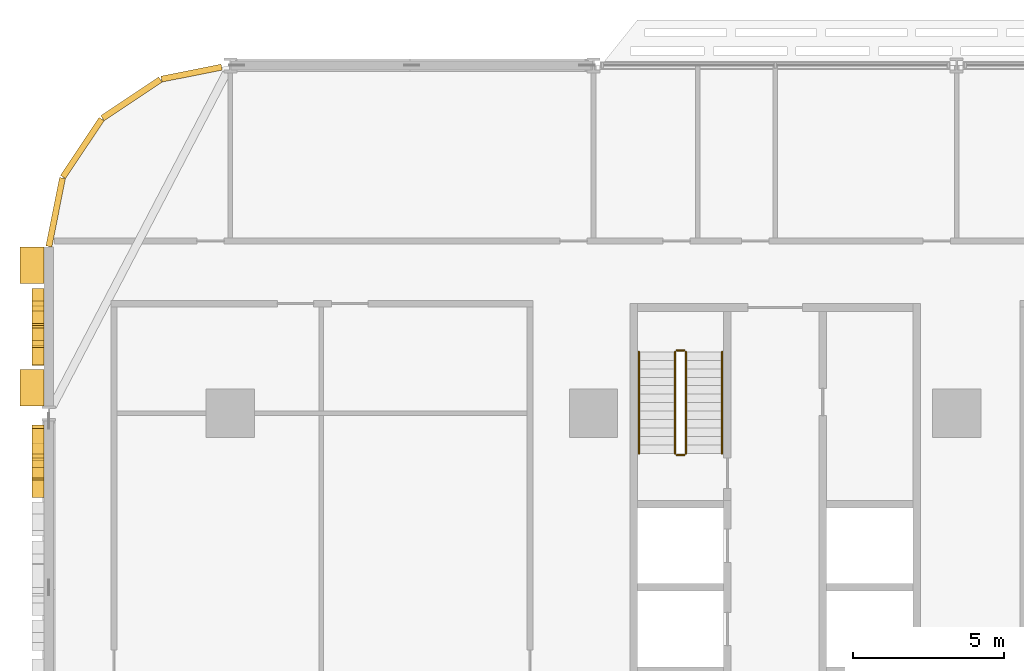
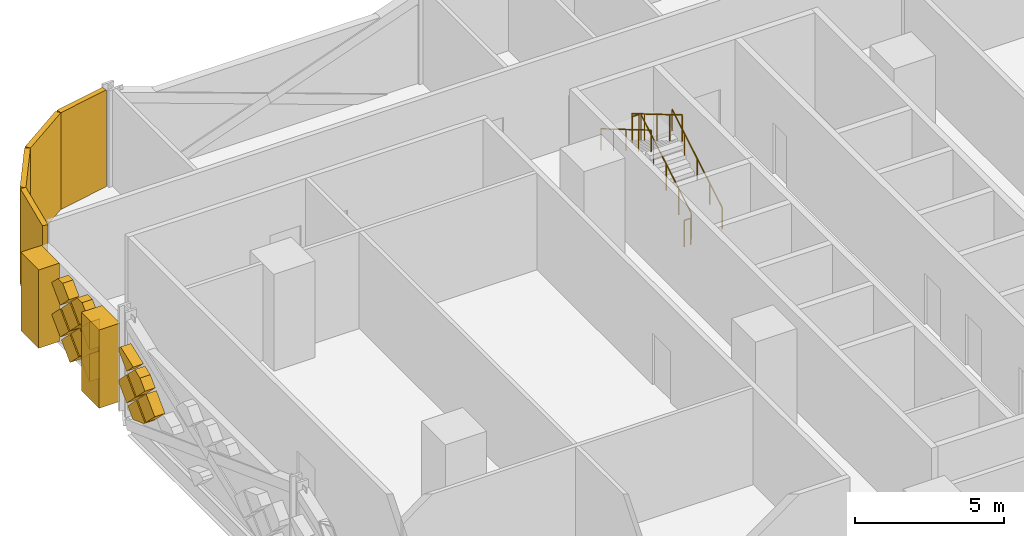
# One storey, part 25 of 29: 19 coverings, 6 railings.
"""IFC4 building model written with IfcOpenShell, lengths in metres."""

from ifc_helpers import new_model, si_unit, direction, frame, origin, origin_2d, place, context, subcontext, project, spatial, polyline, rectangle, circle, outline, extrude, material, layer, layer_set, type_object, element, save


model = new_model("IFC4")

# Units and contexts
model_context = context("Model", 3, precision=1e-05, world=origin(), true_north=direction((0.0, 1.0)))
body_context = subcontext(model_context, "Body", "Model", "MODEL_VIEW")
ifc_project = project(units=[si_unit("LENGTHUNIT", "METRE"), si_unit("AREAUNIT", "SQUARE_METRE"), si_unit("VOLUMEUNIT", "CUBIC_METRE"), si_unit("PLANEANGLEUNIT", "RADIAN"), si_unit("MASSUNIT", "GRAM", prefix="KILO")], contexts=[model_context])

# Site, building, storey
site_placement = place(None, origin())
site = spatial("IfcSite", under=ifc_project, at=site_placement, CompositionType="ELEMENT")
building_placement = place(site_placement, origin())
building = spatial("IfcBuilding", under=site, at=building_placement, Name="Mahtab Terrace Research Tower", CompositionType="ELEMENT")
storey_placement = place(building_placement, frame((0.0, 0.0, 20.10009765625)))
storey = spatial("IfcBuildingStorey", under=building, at=storey_placement, Name="L04", CompositionType="ELEMENT", Elevation=20.10009765625)

# Coverings
ifc_material_1 = material(Name="Black aluminium cladding panel", Category="aluminium")
ifc_layer_1 = layer(ifc_material_1, 0.199951171875)
ifc_layer_set_1 = layer_set([ifc_layer_1], Name="Black metal corner cladding 200")
covering_type_1 = type_object("IfcCoveringType", Name="Black metal corner cladding 200", PredefinedType="CLADDING", material=ifc_layer_set_1)
covering_1_placement = place(storey_placement, frame((-43.28173828125, 22.744873046875, 0.0), z_axis=(0.0, 0.0, 1.0), x_axis=(-0.980760981187, -0.195212442692, 0.0)))
element("IfcCovering", 1, at=covering_1_placement, inside=storey, type_object=covering_type_1, Name="Corner cladding L04 10", PredefinedType="CLADDING", context=body_context, shape_type="SweptSolid", body=[
    extrude(rectangle(XDim=2.0283203125, YDim=0.199951171875, at=origin_2d()), origin(), (0.0, 0.0, 1.0), 3.9599609375),
])
for number, where, z_axis, x_axis, name in (
    (2, (-45.26953125, 21.89306640625, 0.0), (0.0, 0.0, 1.0), (-0.831655794326, -0.555291490808, 0.0), "Corner cladding L04 11"),
    (3, (-46.89306640625, 20.26953125, 0.0), (0.0, 0.0, 1.0), (-0.555291490808, -0.831655794326, 0.0), "Corner cladding L04 12"),
    (4, (-47.771484375, 18.14794921875, 0.0), (0.0, 0.0, 1.0), (-0.195212442692, -0.980760981187, 0.0), "Corner cladding L04 13"),
):
    element("IfcCovering", number, at=place(storey_placement, frame(where, z_axis=z_axis, x_axis=x_axis)), inside=storey, type_object=covering_type_1, Name=name, PredefinedType="CLADDING", context=body_context, shape_type="SweptSolid", body=[
        extrude(rectangle(XDim=2.30126953125, YDim=0.199951171875, at=origin_2d()), origin(), (0.0, 0.0, 1.0), 3.9599609375),
    ])
ifc_material_2 = material(Name="Bronze anodised aluminium", Category="aluminium")
ifc_layer_2 = layer(ifc_material_2, 0.39990234375)
ifc_layer_set_2 = layer_set([ifc_layer_2], Name="Mashrabiya relief panel 400")
covering_type_2 = type_object("IfcCoveringType", Name="Mashrabiya relief panel 400", PredefinedType="CLADDING", material=ifc_layer_set_2)
covering_2_placement = place(storey_placement, frame((-48.14990234375, 15.050048828125, 1.929931640625), z_axis=(1.0, 0.0, 0.0), x_axis=(0.0, -0.707106781187, -0.707106781187)))
element("IfcCovering", 5, at=covering_2_placement, inside=storey, type_object=covering_type_2, Name="Mashrabiya lattice cell L04 W14.1", PredefinedType="CLADDING", context=body_context, shape_type="SweptSolid", body=[
    extrude(outline(polyline([(0.0, 0.0), (0.8203543516109556, 0.0), (0.820181718119455, 0.820181718119455), (0.0001726334915006511, 0.820181718119455), (0.0, 0.0)])), origin(), (0.0, 0.0, -1.0), 0.39990234375),
])
covering_3_placement = place(storey_placement, frame((-48.14990234375, 14.469970703125, 2.64990234375), z_axis=(1.0, 0.0, 0.0), x_axis=(0.0, 0.707106781187, -0.707106781187)))
element("IfcCovering", 6, at=covering_3_placement, inside=storey, type_object=covering_type_2, Name="Mashrabiya lattice cell L04 W14.2", PredefinedType="CLADDING", context=body_context, shape_type="SweptSolid", body=[
    extrude(outline(polyline([(0.0, 0.0), (0.8203543516109556, 0.0), (0.820181718119455, 0.820181718119455), (0.22908464322132532, 0.8201817181194548), (0.0, 0.5910970748981296), (0.0, 0.0)])), origin(), (0.0, 0.0, -1.0), 0.39990234375),
])
covering_4_placement = place(storey_placement, frame((-48.14990234375, 14.97998046875, 0.699951171875), z_axis=(1.0, 0.0, 0.0), x_axis=(0.0, -0.707255598772, 0.706957932274)))
element("IfcCovering", 7, at=covering_4_placement, inside=storey, type_object=covering_type_2, Name="Mashrabiya lattice cell L04 W14.3", PredefinedType="CLADDING", context=body_context, shape_type="SweptSolid", body=[
    extrude(outline(polyline([(0.0, 0.0), (0.8201817362875763, 0.0), (0.8203543334390104, 0.8200090664636573), (0.02140655247189338, 0.8201772305935178), (0.0001681641298604819, 0.798947780967117), (0.0, 0.0)])), origin(), (0.0, 0.0, -1.0), 0.39990234375),
])
covering_5_placement = place(storey_placement, frame((-48.14990234375, 14.39990234375, 2.579833984375), z_axis=(1.0, 0.0, 0.0), x_axis=(0.0, -0.707106781187, -0.707106781187)))
element("IfcCovering", 8, at=covering_5_placement, inside=storey, type_object=covering_type_2, Name="Mashrabiya lattice cell L04 W14.4", PredefinedType="CLADDING", context=body_context, shape_type="SweptSolid", body=[
    extrude(outline(polyline([(0.0, 0.0), (0.8200090846279543, 0.0), (0.820181718119455, 0.820181718119455), (-0.0001726334915006511, 0.820181718119455), (0.0, 0.0)])), origin(), (0.0, 0.0, -1.0), 0.39990234375),
])
covering_6_placement = place(storey_placement, frame((-48.14990234375, 13.75, 1.929931640625), z_axis=(1.0, 0.0, 0.0), x_axis=(0.0, -0.707106781187, -0.707106781187)))
element("IfcCovering", 9, at=covering_6_placement, inside=storey, type_object=covering_type_2, Name="Mashrabiya lattice cell L04 W14.5", PredefinedType="CLADDING", context=body_context, shape_type="SweptSolid", body=[
    extrude(outline(polyline([(0.0, 0.0), (0.8203543516109556, 0.0), (0.820181718119455, 0.820181718119455), (0.0, 0.8203543516109556), (0.0, 0.0)])), origin(), (0.0, 0.0, -1.0), 0.39990234375),
])
covering_7_placement = place(storey_placement, frame((-48.14990234375, 13.169921875, 2.64990234375), z_axis=(1.0, 0.0, 0.0), x_axis=(0.0, 0.707106781187, -0.707106781187)))
element("IfcCovering", 10, at=covering_7_placement, inside=storey, type_object=covering_type_2, Name="Mashrabiya lattice cell L04 W14.6", PredefinedType="CLADDING", context=body_context, shape_type="SweptSolid", body=[
    extrude(outline(polyline([(0.0, 0.0), (0.8203543516109556, 0.0), (0.8203543516109556, 0.8203543516109556), (0.22925727671282597, 0.8203543516109555), (0.0, 0.5910970748981296), (0.0, 0.0)])), origin(), (0.0, 0.0, -1.0), 0.39990234375),
])
covering_8_placement = place(storey_placement, frame((-48.14990234375, 13.679931640625, 0.699951171875), z_axis=(1.0, 0.0, 0.0), x_axis=(0.0, -0.707106781187, 0.707106781187)))
element("IfcCovering", 11, at=covering_8_placement, inside=storey, type_object=covering_type_2, Name="Mashrabiya lattice cell L04 W14.7", PredefinedType="CLADDING", context=body_context, shape_type="SweptSolid", body=[
    extrude(outline(polyline([(0.0, 0.0), (0.8200090846279543, 0.0), (0.820181718119455, 0.02261498738658152), (0.021233919454576533, 0.820181718119455), (0.0, 0.7989477986648784), (0.0, 0.0)])), origin(), (0.0, 0.0, -1.0), 0.39990234375),
])
covering_9_placement = place(storey_placement, frame((-48.14990234375, 13.10009765625, 1.419921875), z_axis=(1.0, 0.0, 0.0), x_axis=(0.0, 0.706957932274, 0.707255598772)))
element("IfcCovering", 12, at=covering_9_placement, inside=storey, type_object=covering_type_2, Name="Mashrabiya lattice cell L04 W14.8", PredefinedType="CLADDING", context=body_context, shape_type="SweptSolid", body=[
    extrude(outline(polyline([(0.0, 0.0), (0.8201817362875763, 0.0), (0.8203543334390104, 0.8200090664636573), (0.7977393828896235, 0.8201864599990892), (-0.00016787343992121818, 0.022615023221871693), (0.0, 0.0)])), origin(), (0.0, 0.0, -1.0), 0.39990234375),
])
covering_10_placement = place(storey_placement, frame((-48.14990234375, 10.60107421875, 1.929931640625), z_axis=(1.0, 0.0, 0.0), x_axis=(0.0, -0.707106781187, -0.707106781187)))
element("IfcCovering", 13, at=covering_10_placement, inside=storey, type_object=covering_type_2, Name="Mashrabiya lattice cell L04 W15.1", PredefinedType="CLADDING", context=body_context, shape_type="SweptSolid", body=[
    extrude(outline(polyline([(0.0, 0.0), (0.8203543516109556, 0.0), (0.820181718119455, 0.820181718119455), (0.0920136509698315, 0.820181718119455), (0.0001726334915005956, 0.728340700641124), (0.0, 0.0)])), origin(), (0.0, 0.0, -1.0), 0.39990234375),
])
covering_11_placement = place(storey_placement, frame((-48.14990234375, 10.60107421875, 2.06982421875), z_axis=(1.0, 0.0, 0.0), x_axis=(0.0, 0.706939160764, 0.707274361884)))
element("IfcCovering", 14, at=covering_11_placement, inside=storey, type_object=covering_type_2, Name="Mashrabiya lattice cell L04 W15.2", PredefinedType="CLADDING", context=body_context, shape_type="SweptSolid", body=[
    extrude(outline(polyline([(0.0, 0.0), (0.728340721100177, 5.551115123125783e-17), (0.8202035044307674, 0.09181924646645268), (0.8204123504406912, 0.24459984123479744), (0.00014648681730550228, 0.618027882211855), (0.0, 0.0)])), origin(), (0.0, 0.0, -1.0), 0.39990234375),
])
covering_12_placement = place(storey_placement, frame((-48.14990234375, 10.531005859375, 0.699951171875), z_axis=(1.0, 0.0, 0.0), x_axis=(0.0, -0.707255598772, 0.706957932274)))
element("IfcCovering", 15, at=covering_12_placement, inside=storey, type_object=covering_type_2, Name="Mashrabiya lattice cell L04 W15.3", PredefinedType="CLADDING", context=body_context, shape_type="SweptSolid", body=[
    extrude(outline(polyline([(0.0, 0.0), (0.8201817362875763, 0.0), (0.8203543334390104, 0.8200090664636573), (0.7129763041041904, 0.8200316676064345), (0.00010421234322383066, 0.49511284265637245), (0.0, 0.0)])), origin(), (0.0, 0.0, -1.0), 0.39990234375),
])
covering_13_placement = place(storey_placement, frame((-48.14990234375, 9.37109375, 2.0), z_axis=(1.0, 0.0, 0.0), x_axis=(0.0, 0.706957932274, -0.707255598772)))
element("IfcCovering", 16, at=covering_13_placement, inside=storey, type_object=covering_type_2, Name="Mashrabiya lattice cell L04 W15.4", PredefinedType="CLADDING", context=body_context, shape_type="SweptSolid", body=[
    extrude(outline(polyline([(0.0, 0.0), (0.8201817362875763, 0.0), (0.8200090664636573, 0.8203543334390104), (0.15675120681031596, 0.8202147295956821), (-0.00010028802904385459, 0.4764684259873041), (0.0, 0.0)])), origin(), (0.0, 0.0, -1.0), 0.39990234375),
])
covering_14_placement = place(storey_placement, frame((-48.14990234375, 9.301025390625, 1.929931640625), z_axis=(1.0, 0.0, 0.0), x_axis=(0.0, -0.707106781187, -0.707106781187)))
element("IfcCovering", 17, at=covering_14_placement, inside=storey, type_object=covering_type_2, Name="Mashrabiya lattice cell L04 W15.5", PredefinedType="CLADDING", context=body_context, shape_type="SweptSolid", body=[
    extrude(outline(polyline([(0.0, 0.0), (0.8203543516109556, 0.0), (0.820181718119455, 0.820181718119455), (0.0, 0.8203543516109556), (0.0, 0.0)])), origin(), (0.0, 0.0, -1.0), 0.39990234375),
])
ifc_material_3 = material(Name="Glazed ceramic tile cladding", Category="masonry")
ifc_layer_3 = layer(ifc_material_3, 0.800048828125)
ifc_layer_set_3 = layer_set([ifc_layer_3], Name="Pishtaq frame pier 800")
covering_type_3 = type_object("IfcCoveringType", Name="Pishtaq frame pier 800", PredefinedType="CLADDING", material=ifc_layer_set_3)
for number, where, z_axis, x_axis, name in (
    (18, (-48.550048828125, 16.39990234375, 0.00048828125), (0.0, 0.0, 1.0), (0.0, -1.0, 0.0), "Pishtaq frame pier 14a"),
    (19, (-48.550048828125, 12.34912109375, 0.00048828125), (0.0, 0.0, 1.0), (0.0, -1.0, 0.0), "Pishtaq frame pier 14b"),
):
    element("IfcCovering", number, at=place(storey_placement, frame(where, z_axis=z_axis, x_axis=x_axis)), inside=storey, type_object=covering_type_3, Name=name, PredefinedType="CLADDING", context=body_context, shape_type="SweptSolid", body=[
        extrude(rectangle(XDim=1.199951171875, YDim=0.800048828125, at=origin_2d()), origin(), (0.0, 0.0, 1.0), 3.202880859375),
    ])

# Railings
ifc_material_4 = material(Name="Stainless steel AISI 304", Category="steel")
railing_type_1 = type_object("IfcRailingType", Name="Stair guard 1100", PredefinedType="GUARDRAIL", material=ifc_material_4)
railing_1_placement = place(storey_placement, frame((-26.949951171875, 10.175048828125, 0.165283203125)))
element("IfcRailing", 20, at=railing_1_placement, inside=storey, type_object=railing_type_1, Name="L04 ST1 stair guard 1", PredefinedType="GUARDRAIL", context=body_context, shape_type="SweptSolid", body=[
    extrude(circle(Radius=0.02392578125, at=origin_2d()), frame((0.0, 0.0, 1.076171875), z_axis=(0.0, 0.861011212953, 0.508585972249), x_axis=(-1.0, 0.0, 0.0)), (0.0, 0.0, 1.0), 3.90234375),
    extrude(circle(Radius=0.02099609375, at=origin_2d()), origin(), (0.0, 0.0, 1.0), 1.052001953125),
    extrude(circle(Radius=0.02099609375, at=origin_2d()), frame((0.0, 0.83984375, 0.49609375)), (0.0, 0.0, 1.0), 1.052001953125),
    extrude(circle(Radius=0.02099609375, at=origin_2d()), frame((0.0, 1.679931640625, 0.9921875)), (0.0, 0.0, 1.0), 1.052001953125),
    extrude(circle(Radius=0.02099609375, at=origin_2d()), frame((0.0, 2.52001953125, 1.488525390625)), (0.0, 0.0, 1.0), 1.052001953125),
    extrude(circle(Radius=0.02099609375, at=origin_2d()), frame((0.0, 3.35986328125, 1.984619140625)), (0.0, 0.0, 1.0), 1.052001953125),
])
railing_2_placement = place(storey_placement, frame((-27.0, 13.5849609375, 2.14990234375)))
element("IfcRailing", 21, at=railing_2_placement, inside=storey, type_object=railing_type_1, Name="L04 ST1 stair guard 2", PredefinedType="GUARDRAIL", context=body_context, shape_type="SweptSolid", body=[
    extrude(circle(Radius=0.02392578125, at=origin_2d()), frame((0.0, 0.0, 1.076171875), z_axis=(-1.0, 0.0, 0.0), x_axis=(0.0, -1.0, 0.0)), (0.0, 0.0, 1.0), 0.25),
    extrude(circle(Radius=0.02099609375, at=origin_2d()), origin(), (0.0, 0.0, 1.0), 1.052001953125),
    extrude(circle(Radius=0.02099609375, at=origin_2d()), frame((-0.25, 0.0, 0.0)), (0.0, 0.0, 1.0), 1.052001953125),
])
railing_3_placement = place(storey_placement, frame((-27.300048828125, 13.534912109375, 2.315185546875)))
element("IfcRailing", 22, at=railing_3_placement, inside=storey, type_object=railing_type_1, Name="L04 ST1 stair guard 3", PredefinedType="GUARDRAIL", context=body_context, shape_type="SweptSolid", body=[
    extrude(circle(Radius=0.02392578125, at=origin_2d()), frame((0.0, 0.0, 1.076171875), z_axis=(0.0, -0.861011212953, 0.508585972249), x_axis=(1.0, 0.0, 0.0)), (0.0, 0.0, 1.0), 3.90234375),
    extrude(circle(Radius=0.02099609375, at=origin_2d()), origin(), (0.0, 0.0, 1.0), 1.052001953125),
    extrude(circle(Radius=0.02099609375, at=origin_2d()), frame((0.0, -0.83984375, 0.49609375)), (0.0, 0.0, 1.0), 1.052001953125),
    extrude(circle(Radius=0.02099609375, at=origin_2d()), frame((0.0, -1.679931640625, 0.9921875)), (0.0, 0.0, 1.0), 1.052001953125),
    extrude(circle(Radius=0.02099609375, at=origin_2d()), frame((0.0, -2.52001953125, 1.488525390625)), (0.0, 0.0, 1.0), 1.052001953125),
    extrude(circle(Radius=0.02099609375, at=origin_2d()), frame((0.0, -3.35986328125, 1.984619140625)), (0.0, 0.0, 1.0), 1.052001953125),
])
railing_4_placement = place(storey_placement, frame((-27.0, 10.125, 0.0)))
element("IfcRailing", 23, at=railing_4_placement, inside=storey, type_object=railing_type_1, Name="L04 ST1 stair guard 4", PredefinedType="GUARDRAIL", context=body_context, shape_type="SweptSolid", body=[
    extrude(circle(Radius=0.02392578125, at=origin_2d()), frame((0.0, 0.0, 1.076171875), z_axis=(-1.0, 0.0, 0.0), x_axis=(0.0, -1.0, 0.0)), (0.0, 0.0, 1.0), 0.25),
    extrude(circle(Radius=0.02099609375, at=origin_2d()), origin(), (0.0, 0.0, 1.0), 1.052001953125),
    extrude(circle(Radius=0.02099609375, at=origin_2d()), frame((-0.25, 0.0, 0.0)), (0.0, 0.0, 1.0), 1.052001953125),
])
railing_type_2 = type_object("IfcRailingType", Name="Stair handrail 900", PredefinedType="HANDRAIL", material=ifc_material_4)
railing_5_placement = place(storey_placement, frame((-25.75, 10.175048828125, 0.165283203125)))
element("IfcRailing", 24, at=railing_5_placement, inside=storey, type_object=railing_type_2, Name="L04 ST1 stair handrail 1", PredefinedType="HANDRAIL", context=body_context, shape_type="SweptSolid", body=[
    extrude(circle(Radius=0.02392578125, at=origin_2d()), frame((0.0, 0.0, 0.8759765625), z_axis=(0.0, 0.861011212953, 0.508585972249), x_axis=(-1.0, 0.0, 0.0)), (0.0, 0.0, 1.0), 3.90234375),
    extrude(circle(Radius=0.02099609375, at=origin_2d()), origin(), (0.0, 0.0, 1.0), 0.851806640625),
    extrude(circle(Radius=0.02099609375, at=origin_2d()), frame((0.0, 0.83984375, 0.49609375)), (0.0, 0.0, 1.0), 0.851806640625),
    extrude(circle(Radius=0.02099609375, at=origin_2d()), frame((0.0, 1.679931640625, 0.9921875)), (0.0, 0.0, 1.0), 0.851806640625),
    extrude(circle(Radius=0.02099609375, at=origin_2d()), frame((0.0, 2.52001953125, 1.488525390625)), (0.0, 0.0, 1.0), 0.851806640625),
    extrude(circle(Radius=0.02099609375, at=origin_2d()), frame((0.0, 3.35986328125, 1.984619140625)), (0.0, 0.0, 1.0), 0.851806640625),
])
railing_6_placement = place(storey_placement, frame((-28.5, 13.534912109375, 2.315185546875)))
element("IfcRailing", 25, at=railing_6_placement, inside=storey, type_object=railing_type_2, Name="L04 ST1 stair handrail 2", PredefinedType="HANDRAIL", context=body_context, shape_type="SweptSolid", body=[
    extrude(circle(Radius=0.02392578125, at=origin_2d()), frame((0.0, 0.0, 0.8759765625), z_axis=(0.0, -0.861011212953, 0.508585972249), x_axis=(1.0, 0.0, 0.0)), (0.0, 0.0, 1.0), 3.90234375),
    extrude(circle(Radius=0.02099609375, at=origin_2d()), origin(), (0.0, 0.0, 1.0), 0.851806640625),
    extrude(circle(Radius=0.02099609375, at=origin_2d()), frame((0.0, -0.83984375, 0.49609375)), (0.0, 0.0, 1.0), 0.851806640625),
    extrude(circle(Radius=0.02099609375, at=origin_2d()), frame((0.0, -1.679931640625, 0.9921875)), (0.0, 0.0, 1.0), 0.851806640625),
    extrude(circle(Radius=0.02099609375, at=origin_2d()), frame((0.0, -2.52001953125, 1.488525390625)), (0.0, 0.0, 1.0), 0.851806640625),
    extrude(circle(Radius=0.02099609375, at=origin_2d()), frame((0.0, -3.35986328125, 1.984619140625)), (0.0, 0.0, 1.0), 0.851806640625),
])

save(model, "model.ifc")
